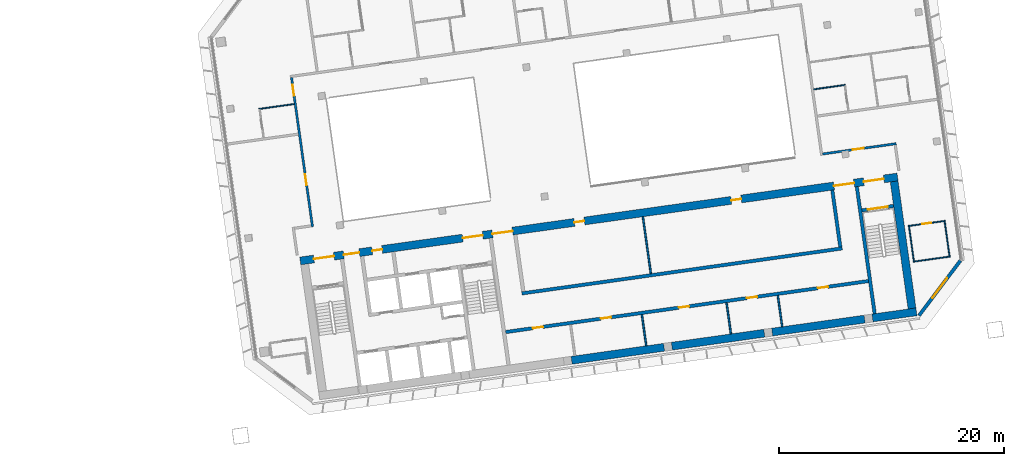
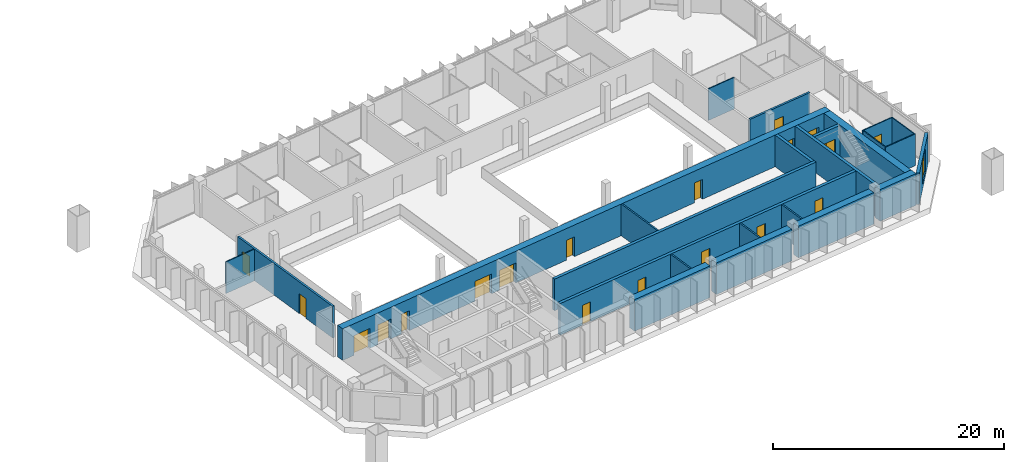
# One storey, part 20 of 25: 24 walls, 19 doors, 1 window, 20 openings.
"""IFC4 building model written with IfcOpenShell, lengths in metres."""

from ifc_helpers import new_model, si_unit, direction, frame, frame_2d, origin, place, context, subcontext, project, spatial, rectangle, extrude, material, layer, layer_set, type_object, element, fill, save


model = new_model("IFC4")

# Units and contexts
model_context = context("Model", 3, precision=1e-05, world=origin(), true_north=direction((0.0, 1.0)))
body_context = subcontext(model_context, "Body", "Model", "MODEL_VIEW")
ifc_project = project(units=[si_unit("LENGTHUNIT", "METRE"), si_unit("AREAUNIT", "SQUARE_METRE"), si_unit("VOLUMEUNIT", "CUBIC_METRE"), si_unit("PLANEANGLEUNIT", "RADIAN"), si_unit("MASSUNIT", "GRAM", prefix="KILO")], contexts=[model_context])

# Site, building, storey
site_placement = place(None, origin())
site = spatial("IfcSite", under=ifc_project, at=site_placement, CompositionType="ELEMENT")
building_placement = place(site_placement, origin())
building = spatial("IfcBuilding", under=site, at=building_placement, Name="Mirante Cascada Hotel Towers", CompositionType="ELEMENT")
storey_placement = place(building_placement, frame((0.0, 0.0, 172.6)))
storey = spatial("IfcBuildingStorey", under=building, at=storey_placement, Name="L40", CompositionType="ELEMENT", Elevation=172.6)

# Wall, opening, door
ifc_material_1 = material(Name="Fire-rated plasterboard on metal studs")
ifc_layer_1 = layer(ifc_material_1, 0.2)
ifc_layer_set_1 = layer_set([ifc_layer_1], Name="Compartment wall 200 EI 120")
wall_type_1 = type_object("IfcWallType", Name="Compartment wall 200 EI 120", PredefinedType="PARTITIONING", material=ifc_layer_set_1)
wall_1_placement = place(storey_placement, frame((88.5029, 2.7886, 0.0), z_axis=(0.0, 0.0, 1.0), x_axis=(-0.990269, -0.1391661, 0.0)))
wall_1 = element("IfcWall", 1, at=wall_1_placement, inside=storey, type_object=wall_type_1, Name="Wall 2-L40-06", PredefinedType="PARTITIONING", context=body_context, shape_type="SweptSolid", body=[
    extrude(rectangle(XDim=6.6, YDim=0.2, at=frame_2d((3.3, 0.0))), origin(), (0.0, 0.0, 1.0), 3.35),
])
opening_1_placement = place(wall_1_placement, frame((2.9, 0.0, 0.0)))
opening_1 = element("IfcOpeningElement", 2, at=opening_1_placement, cuts=wall_1, Name="Opening D2-L40-03", PredefinedType="OPENING", context=body_context, shape_type="SweptSolid", body=[
    extrude(rectangle(XDim=1.0, YDim=2.1, at=frame_2d((0.5, 1.05))), frame((0.0, 0.1, 0.0), z_axis=(0.0, -1.0, 0.0), x_axis=(1.0, 0.0, 0.0)), (0.0, 0.0, 1.0), 0.2),
])
ifc_material_2 = material(Name="Fire-rated timber door leaf", Category="wood")
door_type_1 = type_object("IfcDoorType", Name="Entrance door DG1 1000x2100 EI 60", OperationType="SINGLE_SWING_LEFT", PredefinedType="DOOR", material=ifc_material_2)
door_1_placement = place(opening_1_placement, origin())
door_1 = element("IfcDoor", 3, at=door_1_placement, inside=storey, type_object=door_type_1, Name="Door D2-L40-03", OperationType="SINGLE_SWING_LEFT", OverallHeight=2.1, OverallWidth=1.0, PredefinedType="DOOR", context=body_context, shape_type="SweptSolid", body=[
    extrude(rectangle(XDim=1.0, YDim=2.1, at=frame_2d((0.5, 1.05))), frame((0.0, 0.025, 0.0), z_axis=(0.0, -1.0, 0.0), x_axis=(1.0, 0.0, 0.0)), (0.0, 0.0, 1.0), 0.05),
])
fill(opening_1, door_1)

# Wall, openings, doors
wall_2_placement = place(storey_placement, frame((34.7618, 8.6665, 0.0), z_axis=(0.0, 0.0, 1.0), x_axis=(0.1391789, -0.9902673, 0.0)))
wall_2 = element("IfcWall", 4, at=wall_2_placement, inside=storey, type_object=wall_type_1, Name="Wall 2-L40-26", PredefinedType="PARTITIONING", context=body_context, shape_type="SweptSolid", body=[
    extrude(rectangle(XDim=13.4, YDim=0.2, at=frame_2d((6.7, 0.0))), origin(), (0.0, 0.0, 1.0), 3.35),
])
opening_2_placement = place(wall_2_placement, frame((8.6834, 0.0, 0.0)))
opening_2 = element("IfcOpeningElement", 5, at=opening_2_placement, cuts=wall_2, Name="Opening D2-L40-17", PredefinedType="OPENING", context=body_context, shape_type="SweptSolid", body=[
    extrude(rectangle(XDim=1.0, YDim=2.1, at=frame_2d((0.5, 1.05))), frame((0.0, 0.1, 0.0), z_axis=(0.0, -1.0, 0.0), x_axis=(1.0, 0.0, 0.0)), (0.0, 0.0, 1.0), 0.2),
])
opening_3_placement = place(wall_2_placement, frame((0.6334, 0.0, 0.0)))
opening_3 = element("IfcOpeningElement", 6, at=opening_3_placement, cuts=wall_2, Name="Opening D2-L40-18", PredefinedType="OPENING", context=body_context, shape_type="SweptSolid", body=[
    extrude(rectangle(XDim=1.0, YDim=2.1, at=frame_2d((0.5, 1.05))), frame((0.0, 0.1, 0.0), z_axis=(0.0, -1.0, 0.0), x_axis=(1.0, 0.0, 0.0)), (0.0, 0.0, 1.0), 0.2),
])
door_2_placement = place(opening_2_placement, frame((1.0, 0.0, 0.0), z_axis=(0.0, 0.0, 1.0), x_axis=(-1.0, 0.0, 0.0)))
door_2 = element("IfcDoor", 7, at=door_2_placement, inside=storey, type_object=door_type_1, Name="Door D2-L40-17", OperationType="SINGLE_SWING_RIGHT", OverallHeight=2.1, OverallWidth=1.0, PredefinedType="DOOR", context=body_context, shape_type="SweptSolid", body=[
    extrude(rectangle(XDim=1.0, YDim=2.1, at=frame_2d((0.5, 1.05))), frame((0.0, 0.025, 0.0), z_axis=(0.0, -1.0, 0.0), x_axis=(1.0, 0.0, 0.0)), (0.0, 0.0, 1.0), 0.05),
])
fill(opening_2, door_2)
door_3_placement = place(opening_3_placement, frame((1.0, 0.0, 0.0), z_axis=(0.0, 0.0, 1.0), x_axis=(-1.0, 0.0, 0.0)))
door_3 = element("IfcDoor", 8, at=door_3_placement, inside=storey, type_object=door_type_1, Name="Door D2-L40-18", OperationType="SINGLE_SWING_RIGHT", OverallHeight=2.1, OverallWidth=1.0, PredefinedType="DOOR", context=body_context, shape_type="SweptSolid", body=[
    extrude(rectangle(XDim=1.0, YDim=2.1, at=frame_2d((0.5, 1.05))), frame((0.0, 0.025, 0.0), z_axis=(0.0, -1.0, 0.0), x_axis=(1.0, 0.0, 0.0)), (0.0, 0.0, 1.0), 0.05),
])
fill(opening_3, door_3)

# Walls
ifc_material_3 = material(Name="Masonry block", Category="masonry")
ifc_layer_2 = layer(ifc_material_3, 0.15)
ifc_layer_set_2 = layer_set([ifc_layer_2], Name="Core room partition 150 block EI 30")
wall_type_2 = type_object("IfcWallType", Name="Core room partition 150 block EI 30", PredefinedType="PARTITIONING", material=ifc_layer_set_2)
for number, where, z_axis, x_axis, name in (
    (9, (66.2872, -15.178, 0.0), (0.0, 0.0, 1.0), (-0.139181, 0.990267, 0.0), "Core wall partition T2 L40 6"),
    (10, (73.8132, -14.1203, 0.0), (0.0, 0.0, 1.0), (-0.139181, 0.990267, 0.0), "Core wall partition T2 L40 7"),
):
    element("IfcWall", number, at=place(storey_placement, frame(where, z_axis=z_axis, x_axis=x_axis)), inside=storey, type_object=wall_type_2, Name=name, PredefinedType="PARTITIONING", context=body_context, shape_type="SweptSolid", body=[
        extrude(rectangle(XDim=2.8, YDim=0.15, at=frame_2d((1.4, 0.0))), origin(), (0.0, 0.0, 1.0), 3.35),
    ])
wall_3_placement = place(storey_placement, frame((78.3684, -13.4801, 0.0), z_axis=(0.0, 0.0, 1.0), x_axis=(-0.1391459, 0.9902719, 0.0)))
element("IfcWall", 11, at=wall_3_placement, inside=storey, type_object=wall_type_2, Name="Core wall partition T2 L40 8", PredefinedType="PARTITIONING", context=body_context, shape_type="SweptSolid", body=[
    extrude(rectangle(XDim=2.7999, YDim=0.15, at=frame_2d((1.4, 0.0))), origin(), (0.0, 0.0, 1.0), 3.35),
])
wall_4_placement = place(storey_placement, frame((66.6977, -8.7584, 0.0), z_axis=(0.0, 0.0, 1.0), x_axis=(-0.1391782, 0.9902673, 0.0)))
element("IfcWall", 12, at=wall_4_placement, inside=storey, type_object=wall_type_2, Name="Core wall partition T2 L40 9", PredefinedType="PARTITIONING", context=body_context, shape_type="SweptSolid", body=[
    extrude(rectangle(XDim=5.0999, YDim=0.15, at=frame_2d((2.55, 0.0))), origin(), (0.0, 0.0, 1.0), 3.35),
])

# Wall, openings, doors
ifc_material_4 = material(Name="Masonry block", Category="masonry")
ifc_layer_3 = layer(ifc_material_4, 0.3)
ifc_layer_set_3 = layer_set([ifc_layer_3], Name="Core wall 300 block EI 120")
wall_type_3 = type_object("IfcWallType", Name="Core wall 300 block EI 120", PredefinedType="PARTITIONING", material=ifc_layer_set_3)
wall_5_placement = place(storey_placement, frame((53.7953, -13.9547, 0.0), z_axis=(0.0, 0.0, 1.0), x_axis=(0.990268, 0.1391733, 0.0)))
wall_5 = element("IfcWall", 13, at=wall_5_placement, inside=storey, type_object=wall_type_3, Name="Core wall partition T2 L40 4", PredefinedType="PARTITIONING", context=body_context, shape_type="SweptSolid", body=[
    extrude(rectangle(XDim=32.5501, YDim=0.3, at=frame_2d((16.275, 0.0))), origin(), (0.0, 0.0, 1.0), 3.35),
])
opening_4_placement = place(wall_5_placement, frame((2.45, 0.0, 0.0)))
opening_4 = element("IfcOpeningElement", 14, at=opening_4_placement, cuts=wall_5, Name="Opening D2-40-C19", PredefinedType="OPENING", context=body_context, shape_type="SweptSolid", body=[
    extrude(rectangle(XDim=0.9, YDim=2.1, at=frame_2d((0.45, 1.05))), frame((0.0, 0.15, 0.0), z_axis=(0.0, -1.0, 0.0), x_axis=(1.0, 0.0, 0.0)), (0.0, 0.0, 1.0), 0.3),
])
opening_5_placement = place(wall_5_placement, frame((8.55, 0.0, 0.0)))
opening_5 = element("IfcOpeningElement", 15, at=opening_5_placement, cuts=wall_5, Name="Opening D2-40-C20", PredefinedType="OPENING", context=body_context, shape_type="SweptSolid", body=[
    extrude(rectangle(XDim=0.9, YDim=2.1, at=frame_2d((0.45, 1.05))), frame((0.0, 0.15, 0.0), z_axis=(0.0, -1.0, 0.0), x_axis=(1.0, 0.0, 0.0)), (0.0, 0.0, 1.0), 0.3),
])
opening_6_placement = place(wall_5_placement, frame((15.55, 0.0, 0.0)))
opening_6 = element("IfcOpeningElement", 16, at=opening_6_placement, cuts=wall_5, Name="Opening D2-40-C21", PredefinedType="OPENING", context=body_context, shape_type="SweptSolid", body=[
    extrude(rectangle(XDim=0.9, YDim=2.1, at=frame_2d((0.45, 1.05))), frame((0.0, 0.15, 0.0), z_axis=(0.0, -1.0, 0.0), x_axis=(1.0, 0.0, 0.0)), (0.0, 0.0, 1.0), 0.3),
])
opening_7_placement = place(wall_5_placement, frame((21.65, 0.0, 0.0)))
opening_7 = element("IfcOpeningElement", 17, at=opening_7_placement, cuts=wall_5, Name="Opening D2-40-C22", PredefinedType="OPENING", context=body_context, shape_type="SweptSolid", body=[
    extrude(rectangle(XDim=0.9, YDim=2.1, at=frame_2d((0.45, 1.05))), frame((0.0, 0.15, 0.0), z_axis=(0.0, -1.0, 0.0), x_axis=(1.0, 0.0, 0.0)), (0.0, 0.0, 1.0), 0.3),
])
opening_8_placement = place(wall_5_placement, frame((28.025, 0.0, 0.0)))
opening_8 = element("IfcOpeningElement", 18, at=opening_8_placement, cuts=wall_5, Name="Opening D2-40-C23", PredefinedType="OPENING", context=body_context, shape_type="SweptSolid", body=[
    extrude(rectangle(XDim=0.9, YDim=2.1, at=frame_2d((0.45, 1.05))), frame((0.0, 0.15, 0.0), z_axis=(0.0, -1.0, 0.0), x_axis=(1.0, 0.0, 0.0)), (0.0, 0.0, 1.0), 0.3),
])
ifc_material_5 = material(Name="Hollow metal fire door leaf")
door_type_2 = type_object("IfcDoorType", Name="Fire door 900x2100 FD60", OperationType="NOTDEFINED", PredefinedType="DOOR", material=ifc_material_5)
door_4_placement = place(opening_4_placement, frame((0.9, 0.0, 0.0), z_axis=(0.0, 0.0, 1.0), x_axis=(-1.0, 0.0, 0.0)))
door_4 = element("IfcDoor", 19, at=door_4_placement, inside=storey, type_object=door_type_2, Name="Room door T2 L40 19", OperationType="SINGLE_SWING_LEFT", OverallHeight=2.1, OverallWidth=0.9, PredefinedType="DOOR", context=body_context, shape_type="SweptSolid", body=[
    extrude(rectangle(XDim=0.9, YDim=2.1, at=frame_2d((0.45, 1.05))), frame((0.0, 0.025, 0.0), z_axis=(0.0, -1.0, 0.0), x_axis=(1.0, 0.0, 0.0)), (0.0, 0.0, 1.0), 0.05),
])
fill(opening_4, door_4)
door_5_placement = place(opening_5_placement, frame((0.9, 0.0, 0.0), z_axis=(0.0, 0.0, 1.0), x_axis=(-1.0, 0.0, 0.0)))
door_5 = element("IfcDoor", 20, at=door_5_placement, inside=storey, type_object=door_type_2, Name="Room door T2 L40 20", OperationType="SINGLE_SWING_LEFT", OverallHeight=2.1, OverallWidth=0.9, PredefinedType="DOOR", context=body_context, shape_type="SweptSolid", body=[
    extrude(rectangle(XDim=0.9, YDim=2.1, at=frame_2d((0.45, 1.05))), frame((0.0, 0.025, 0.0), z_axis=(0.0, -1.0, 0.0), x_axis=(1.0, 0.0, 0.0)), (0.0, 0.0, 1.0), 0.05),
])
fill(opening_5, door_5)
door_6_placement = place(opening_6_placement, frame((0.9, 0.0, 0.0), z_axis=(0.0, 0.0, 1.0), x_axis=(-1.0, 0.0, 0.0)))
door_6 = element("IfcDoor", 21, at=door_6_placement, inside=storey, type_object=door_type_2, Name="Room door T2 L40 21", OperationType="SINGLE_SWING_RIGHT", OverallHeight=2.1, OverallWidth=0.9, PredefinedType="DOOR", context=body_context, shape_type="SweptSolid", body=[
    extrude(rectangle(XDim=0.9, YDim=2.1, at=frame_2d((0.45, 1.05))), frame((0.0, 0.025, 0.0), z_axis=(0.0, -1.0, 0.0), x_axis=(1.0, 0.0, 0.0)), (0.0, 0.0, 1.0), 0.05),
])
fill(opening_6, door_6)
door_7_placement = place(opening_7_placement, frame((0.9, 0.0, 0.0), z_axis=(0.0, 0.0, 1.0), x_axis=(-1.0, 0.0, 0.0)))
door_7 = element("IfcDoor", 22, at=door_7_placement, inside=storey, type_object=door_type_2, Name="Room door T2 L40 22", OperationType="SINGLE_SWING_RIGHT", OverallHeight=2.1, OverallWidth=0.9, PredefinedType="DOOR", context=body_context, shape_type="SweptSolid", body=[
    extrude(rectangle(XDim=0.9, YDim=2.1, at=frame_2d((0.45, 1.05))), frame((0.0, 0.025, 0.0), z_axis=(0.0, -1.0, 0.0), x_axis=(1.0, 0.0, 0.0)), (0.0, 0.0, 1.0), 0.05),
])
fill(opening_7, door_7)
door_8_placement = place(opening_8_placement, frame((0.9, 0.0, 0.0), z_axis=(0.0, 0.0, 1.0), x_axis=(-1.0, 0.0, 0.0)))
door_8 = element("IfcDoor", 23, at=door_8_placement, inside=storey, type_object=door_type_2, Name="Room door T2 L40 23", OperationType="SINGLE_SWING_RIGHT", OverallHeight=2.1, OverallWidth=0.9, PredefinedType="DOOR", context=body_context, shape_type="SweptSolid", body=[
    extrude(rectangle(XDim=0.9, YDim=2.1, at=frame_2d((0.45, 1.05))), frame((0.0, 0.025, 0.0), z_axis=(0.0, -1.0, 0.0), x_axis=(1.0, 0.0, 0.0)), (0.0, 0.0, 1.0), 0.05),
])
fill(opening_8, door_8)

# Wall
ifc_material_6 = material(Name="Plasterboard on metal studs")
ifc_layer_4 = layer(ifc_material_6, 0.1)
ifc_layer_set_4 = layer_set([ifc_layer_4], Name="Partition 100")
wall_type_4 = type_object("IfcWallType", Name="Partition 100", PredefinedType="PARTITIONING", material=ifc_layer_set_4)
wall_6_placement = place(storey_placement, frame((93.2955, -7.242, 0.0), z_axis=(0.0, 0.0, 1.0), x_axis=(-0.990267, -0.139181, 0.0)))
element("IfcWall", 24, at=wall_6_placement, inside=storey, type_object=wall_type_4, Name="Wall 2-L40-02", PredefinedType="PARTITIONING", context=body_context, shape_type="SweptSolid", body=[
    extrude(rectangle(XDim=3.3, YDim=0.1, at=frame_2d((1.65, 0.0))), origin(), (0.0, 0.0, 1.0), 3.35),
])

# Wall, opening, door
wall_7_placement = place(storey_placement, frame((92.8502, -4.0731, 0.0), z_axis=(0.0, 0.0, 1.0), x_axis=(-0.990267, -0.139181, 0.0)))
wall_7 = element("IfcWall", 25, at=wall_7_placement, inside=storey, type_object=wall_type_4, Name="Wall 2-L40-04", PredefinedType="PARTITIONING", context=body_context, shape_type="SweptSolid", body=[
    extrude(rectangle(XDim=3.3, YDim=0.1, at=frame_2d((1.65, 0.0))), origin(), (0.0, 0.0, 1.0), 3.35),
])
opening_9_placement = place(wall_7_placement, frame((1.25, 0.0, 0.0)))
opening_9 = element("IfcOpeningElement", 26, at=opening_9_placement, cuts=wall_7, Name="Opening D2-L40-02", PredefinedType="OPENING", context=body_context, shape_type="SweptSolid", body=[
    extrude(rectangle(XDim=0.8, YDim=2.1, at=frame_2d((0.4, 1.05))), frame((0.0, 0.05, 0.0), z_axis=(0.0, -1.0, 0.0), x_axis=(1.0, 0.0, 0.0)), (0.0, 0.0, 1.0), 0.1),
])
ifc_material_7 = material(Name="Timber door leaf", Category="wood")
door_type_3 = type_object("IfcDoorType", Name="Bathroom door DG4 800x2100", OperationType="SINGLE_SWING_LEFT", PredefinedType="DOOR", material=ifc_material_7)
door_9_placement = place(opening_9_placement, frame((0.8, 0.0, 0.0), z_axis=(0.0, 0.0, 1.0), x_axis=(-1.0, 0.0, 0.0)))
door_9 = element("IfcDoor", 27, at=door_9_placement, inside=storey, type_object=door_type_3, Name="Door D2-L40-02", OperationType="SINGLE_SWING_RIGHT", OverallHeight=2.1, OverallWidth=0.8, PredefinedType="DOOR", context=body_context, shape_type="SweptSolid", body=[
    extrude(rectangle(XDim=0.8, YDim=2.1, at=frame_2d((0.4, 1.05))), frame((0.0, 0.025, 0.0), z_axis=(0.0, -1.0, 0.0), x_axis=(1.0, 0.0, 0.0)), (0.0, 0.0, 1.0), 0.05),
])
fill(opening_9, door_9)

# Walls
wall_8_placement = place(storey_placement, frame((83.9822, 8.0103, 0.0), z_axis=(0.0, 0.0, 1.0), x_axis=(-0.9902656, -0.1391909, 0.0)))
element("IfcWall", 28, at=wall_8_placement, inside=storey, type_object=wall_type_4, Name="Wall 2-L40-08", PredefinedType="PARTITIONING", context=body_context, shape_type="SweptSolid", body=[
    extrude(rectangle(XDim=2.85, YDim=0.1, at=frame_2d((1.425, 0.0))), origin(), (0.0, 0.0, 1.0), 3.35),
])
wall_9_placement = place(storey_placement, frame((34.9922, 6.3089, 0.0), z_axis=(0.0, 0.0, 1.0), x_axis=(-0.9902676, -0.1391765, 0.0)))
element("IfcWall", 29, at=wall_9_placement, inside=storey, type_object=wall_type_4, Name="Wall 2-L40-12", PredefinedType="PARTITIONING", context=body_context, shape_type="SweptSolid", body=[
    extrude(rectangle(XDim=3.15, YDim=0.1, at=frame_2d((1.575, 0.0))), origin(), (0.0, 0.0, 1.0), 3.35),
])
wall_10_placement = place(storey_placement, frame((90.0702, -7.6448, 0.0), z_axis=(0.0, 0.0, 1.0), x_axis=(-0.1391585, 0.9902701, 0.0)))
element("IfcWall", 30, at=wall_10_placement, inside=storey, type_object=wall_type_4, Name="Wall 2-L40-47", PredefinedType="PARTITIONING", context=body_context, shape_type="SweptSolid", body=[
    extrude(rectangle(XDim=3.1001, YDim=0.1, at=frame_2d((1.55, 0.0))), origin(), (0.0, 0.0, 1.0), 3.35),
])
wall_11_placement = place(storey_placement, frame((93.2391, -7.1994, 0.0), z_axis=(0.0, 0.0, 1.0), x_axis=(-0.1391945, 0.9902651, 0.0)))
element("IfcWall", 31, at=wall_11_placement, inside=storey, type_object=wall_type_4, Name="Wall 2-L40-49", PredefinedType="PARTITIONING", context=body_context, shape_type="SweptSolid", body=[
    extrude(rectangle(XDim=3.1, YDim=0.1, at=frame_2d((1.55, 0.0))), origin(), (0.0, 0.0, 1.0), 3.35),
])

# Wall, opening, window
ifc_material_8 = material(Name="Precast concrete C40/50", Category="concrete")
ifc_layer_5 = layer(ifc_material_8, 0.3)
ifc_layer_set_5 = layer_set([ifc_layer_5], Name="Precast concrete C40/50 cladding wall 300")
wall_type_5 = type_object("IfcWallType", Name="Precast concrete C40/50 cladding wall 300", PredefinedType="STANDARD", material=ifc_layer_set_5)
wall_12_placement = place(storey_placement, frame((90.5299, -12.4841, 0.0), z_axis=(0.0, 0.0, 1.0), x_axis=(0.6018063, 0.7986421, 0.0)))
wall_12 = element("IfcWall", 32, at=wall_12_placement, inside=storey, type_object=wall_type_5, Name="Corner cladding wall T2 L40 rear outer", PredefinedType="STANDARD", context=body_context, shape_type="SweptSolid", body=[
    extrude(rectangle(XDim=6.1158, YDim=0.3, at=frame_2d((3.0579, 0.0))), origin(), (0.0, 0.0, 1.0), 3.35),
])
opening_10_placement = place(wall_12_placement, frame((1.9578, 0.0, 0.6)))
opening_10 = element("IfcOpeningElement", 33, at=opening_10_placement, cuts=wall_12, Name="Opening W2-40-01", PredefinedType="OPENING", context=body_context, shape_type="SweptSolid", body=[
    extrude(rectangle(XDim=2.2, YDim=2.4, at=frame_2d((1.1, 1.2))), frame((0.0, 0.15, 0.0), z_axis=(0.0, -1.0, 0.0), x_axis=(1.0, 0.0, 0.0)), (0.0, 0.0, 1.0), 0.3),
])
ifc_material_9 = material(Name="Aluminium frame with clear double glazing", Category="aluminium")
window_type = type_object("IfcWindowType", Name="Corner suite window 2200x2400", PartitioningType="DOUBLE_PANEL_VERTICAL", PredefinedType="WINDOW", material=ifc_material_9)
window_placement = place(opening_10_placement, origin())
window = element("IfcWindow", 34, at=window_placement, inside=storey, type_object=window_type, Name="Window W2-40-01", OverallHeight=2.4, OverallWidth=2.2, PartitioningType="SINGLE_PANEL", PredefinedType="WINDOW", context=body_context, shape_type="SweptSolid", body=[
    extrude(rectangle(XDim=2.2, YDim=2.4, at=frame_2d((1.1, 1.2))), frame((0.0, 0.03, 0.0), z_axis=(0.0, -1.0, 0.0), x_axis=(1.0, 0.0, 0.0)), (0.0, 0.0, 1.0), 0.06),
])
fill(opening_10, window)

# Wall
ifc_material_10 = material(Name="Concrete C50/60", Category="concrete")
ifc_layer_6 = layer(ifc_material_10, 0.3)
ifc_layer_set_6 = layer_set([ifc_layer_6], Name="RC core wall 300 C50/60")
wall_type_6 = type_object("IfcWallType", Name="RC core wall 300 C50/60", PredefinedType="SHEAR", material=ifc_layer_set_6)
wall_13_placement = place(storey_placement, frame((86.5877, -12.325, 0.0), z_axis=(0.0, 0.0, 1.0), x_axis=(-0.1391749, 0.9902678, 0.0)))
element("IfcWall", 35, at=wall_13_placement, inside=storey, type_object=wall_type_6, Name="Core wall T2:L40:8", PredefinedType="SHEAR", context=body_context, shape_type="SweptSolid", body=[
    extrude(rectangle(XDim=11.4, YDim=0.3, at=frame_2d((5.7, 0.0))), origin(), (0.0, 0.0, 1.0), 3.35),
])

# Wall, opening, door
wall_14_placement = place(storey_placement, frame((85.4489, -3.1441, 0.0), z_axis=(0.0, 0.0, 1.0), x_axis=(0.9902697, 0.1391613, 0.0)))
wall_14 = element("IfcWall", 36, at=wall_14_placement, inside=storey, type_object=wall_type_6, Name="Core wall T2:L40:11", PredefinedType="SHEAR", context=body_context, shape_type="SweptSolid", body=[
    extrude(rectangle(XDim=2.8499, YDim=0.3, at=frame_2d((1.425, 0.0))), origin(), (0.0, 0.0, 1.0), 3.35),
])
opening_11_placement = place(wall_14_placement, frame((0.525, 0.0, 0.0)))
opening_11 = element("IfcOpeningElement", 37, at=opening_11_placement, cuts=wall_14, Name="Opening D2-40-C11", PredefinedType="OPENING", context=body_context, shape_type="SweptSolid", body=[
    extrude(rectangle(XDim=1.8, YDim=2.1, at=frame_2d((0.9, 1.05))), frame((0.0, 0.15, 0.0), z_axis=(0.0, -1.0, 0.0), x_axis=(1.0, 0.0, 0.0)), (0.0, 0.0, 1.0), 0.3),
])
ifc_material_11 = material(Name="Hollow metal fire door leaf")
door_type_4 = type_object("IfcDoorType", Name="Double fire door 1800x2100 FD60", OperationType="DOUBLE_DOOR_SINGLE_SWING", PredefinedType="DOOR", material=ifc_material_11)
door_10_placement = place(opening_11_placement, frame((1.8, 0.0, 0.0), z_axis=(0.0, 0.0, 1.0), x_axis=(-1.0, 0.0, 0.0)))
door_10 = element("IfcDoor", 38, at=door_10_placement, inside=storey, type_object=door_type_4, Name="Stair door T2 L40 11", OperationType="DOUBLE_DOOR_SINGLE_SWING", OverallHeight=2.1, OverallWidth=1.8, PredefinedType="DOOR", context=body_context, shape_type="SweptSolid", body=[
    extrude(rectangle(XDim=0.895, YDim=2.1, at=frame_2d((0.4475, 1.05))), frame((0.0, 0.025, 0.0), z_axis=(0.0, -1.0, 0.0), x_axis=(1.0, 0.0, 0.0)), (0.0, 0.0, 1.0), 0.05),
    extrude(rectangle(XDim=0.895, YDim=2.1, at=frame_2d((1.3525, 1.05))), frame((0.0, 0.025, 0.0), z_axis=(0.0, -1.0, 0.0), x_axis=(1.0, 0.0, 0.0)), (0.0, 0.0, 1.0), 0.05),
])
fill(opening_11, door_10)

# Walls
wall_15_placement = place(storey_placement, frame((55.2315, -10.5214, 0.0), z_axis=(0.0, 0.0, 1.0), x_axis=(0.9902682, 0.1391722, 0.0)))
element("IfcWall", 39, at=wall_15_placement, inside=storey, type_object=wall_type_6, Name="Core wall T2:L40:29", PredefinedType="SHEAR", context=body_context, shape_type="SweptSolid", body=[
    extrude(rectangle(XDim=28.75, YDim=0.3, at=frame_2d((14.375, 0.0))), origin(), (0.0, 0.0, 1.0), 3.35),
])
wall_16_placement = place(storey_placement, frame((83.5323, -6.3925, 0.0), z_axis=(0.0, 0.0, 1.0), x_axis=(-0.1391755, 0.9902677, 0.0)))
element("IfcWall", 40, at=wall_16_placement, inside=storey, type_object=wall_type_6, Name="Core wall T2:L40:31", PredefinedType="SHEAR", context=body_context, shape_type="SweptSolid", body=[
    extrude(rectangle(XDim=5.1, YDim=0.3, at=frame_2d((2.55, 0.0))), origin(), (0.0, 0.0, 1.0), 3.35),
])
ifc_material_12 = material(Name="Concrete C50/60", Category="concrete")
ifc_layer_7 = layer(ifc_material_12, 0.7)
ifc_layer_set_7 = layer_set([ifc_layer_7], Name="RC core wall 700 C50/60")
wall_type_7 = type_object("IfcWallType", Name="RC core wall 700 C50/60", PredefinedType="SHEAR", material=ifc_layer_set_7)
for number, where, z_axis, x_axis, name in (
    (41, (59.6516, -16.4641, 0.0), (0.0, 0.0, 1.0), (0.990267, 0.139181, 0.0), "Core wall T2:L40:1.4"),
    (42, (68.564, -15.2115, 0.0), (0.0, 0.0, 1.0), (0.9902686, 0.1391692, 0.0), "Core wall T2:L40:1.5"),
    (43, (77.4764, -13.9589, 0.0), (0.0, 0.0, 1.0), (0.9902686, 0.1391692, 0.0), "Core wall T2:L40:1.6"),
):
    element("IfcWall", number, at=place(storey_placement, frame(where, z_axis=z_axis, x_axis=x_axis)), inside=storey, type_object=wall_type_7, Name=name, PredefinedType="SHEAR", context=body_context, shape_type="SweptSolid", body=[
        extrude(rectangle(XDim=8.3, YDim=0.7, at=frame_2d((4.15, 0.0))), origin(), (0.0, 0.0, 1.0), 3.35),
    ])
wall_17_placement = place(storey_placement, frame((86.3888, -12.7064, 0.0), z_axis=(0.0, 0.0, 1.0), x_axis=(0.9902694, 0.1391633, 0.0)))
element("IfcWall", 44, at=wall_17_placement, inside=storey, type_object=wall_type_7, Name="Core wall T2:L40:1.7", PredefinedType="SHEAR", context=body_context, shape_type="SweptSolid", body=[
    extrude(rectangle(XDim=3.95, YDim=0.7, at=frame_2d((1.975, 0.0))), origin(), (0.0, 0.0, 1.0), 3.35),
])

# Wall, openings, doors
wall_18_placement = place(storey_placement, frame((35.538, -7.6341, 0.0), z_axis=(0.0, 0.0, 1.0), x_axis=(0.990268, 0.1391734, 0.0)))
wall_18 = element("IfcWall", 45, at=wall_18_placement, inside=storey, type_object=wall_type_7, Name="Core wall T2:L40:2", PredefinedType="SHEAR", context=body_context, shape_type="SweptSolid", body=[
    extrude(rectangle(XDim=53.6, YDim=0.7, at=frame_2d((26.8, 0.0))), origin(), (0.0, 0.0, 1.0), 3.35),
])
opening_12_placement = place(wall_18_placement, frame((1.225, 0.0, 0.0)))
opening_12 = element("IfcOpeningElement", 46, at=opening_12_placement, cuts=wall_18, Name="Opening D2-40-C08", PredefinedType="OPENING", context=body_context, shape_type="SweptSolid", body=[
    extrude(rectangle(XDim=1.8, YDim=2.1, at=frame_2d((0.9, 1.05))), frame((0.0, 0.35, 0.0), z_axis=(0.0, -1.0, 0.0), x_axis=(1.0, 0.0, 0.0)), (0.0, 0.0, 1.0), 0.7),
])
opening_13_placement = place(wall_18_placement, frame((14.575, 0.0, 0.0)))
opening_13 = element("IfcOpeningElement", 47, at=opening_13_placement, cuts=wall_18, Name="Opening D2-40-C10", PredefinedType="OPENING", context=body_context, shape_type="SweptSolid", body=[
    extrude(rectangle(XDim=1.8, YDim=2.1, at=frame_2d((0.9, 1.05))), frame((0.0, 0.35, 0.0), z_axis=(0.0, -1.0, 0.0), x_axis=(1.0, 0.0, 0.0)), (0.0, 0.0, 1.0), 0.7),
])
opening_14_placement = place(wall_18_placement, frame((50.575, 0.0, 0.0)))
opening_14 = element("IfcOpeningElement", 48, at=opening_14_placement, cuts=wall_18, Name="Opening D2-40-C12", PredefinedType="OPENING", context=body_context, shape_type="SweptSolid", body=[
    extrude(rectangle(XDim=1.8, YDim=2.1, at=frame_2d((0.9, 1.05))), frame((0.0, 0.35, 0.0), z_axis=(0.0, -1.0, 0.0), x_axis=(1.0, 0.0, 0.0)), (0.0, 0.0, 1.0), 0.7),
])
opening_15_placement = place(wall_18_placement, frame((3.9, 0.0, 0.0)))
opening_15 = element("IfcOpeningElement", 49, at=opening_15_placement, cuts=wall_18, Name="Opening D2-40-C13", PredefinedType="OPENING", context=body_context, shape_type="SweptSolid", body=[
    extrude(rectangle(XDim=1.4, YDim=2.1, at=frame_2d((0.7, 1.05))), frame((0.0, 0.35, 0.0), z_axis=(0.0, -1.0, 0.0), x_axis=(1.0, 0.0, 0.0)), (0.0, 0.0, 1.0), 0.7),
])
opening_16_placement = place(wall_18_placement, frame((17.25, 0.0, 0.0)))
opening_16 = element("IfcOpeningElement", 50, at=opening_16_placement, cuts=wall_18, Name="Opening D2-40-C14", PredefinedType="OPENING", context=body_context, shape_type="SweptSolid", body=[
    extrude(rectangle(XDim=1.8, YDim=2.1, at=frame_2d((0.9, 1.05))), frame((0.0, 0.35, 0.0), z_axis=(0.0, -1.0, 0.0), x_axis=(1.0, 0.0, 0.0)), (0.0, 0.0, 1.0), 0.7),
])
opening_17_placement = place(wall_18_placement, frame((47.9, 0.0, 0.0)))
opening_17 = element("IfcOpeningElement", 51, at=opening_17_placement, cuts=wall_18, Name="Opening D2-40-C15", PredefinedType="OPENING", context=body_context, shape_type="SweptSolid", body=[
    extrude(rectangle(XDim=1.8, YDim=2.1, at=frame_2d((0.9, 1.05))), frame((0.0, 0.35, 0.0), z_axis=(0.0, -1.0, 0.0), x_axis=(1.0, 0.0, 0.0)), (0.0, 0.0, 1.0), 0.7),
])
opening_18_placement = place(wall_18_placement, frame((6.45, 0.0, 0.0)))
opening_18 = element("IfcOpeningElement", 52, at=opening_18_placement, cuts=wall_18, Name="Opening D2-40-C18", PredefinedType="OPENING", context=body_context, shape_type="SweptSolid", body=[
    extrude(rectangle(XDim=0.9, YDim=2.1, at=frame_2d((0.45, 1.05))), frame((0.0, 0.35, 0.0), z_axis=(0.0, -1.0, 0.0), x_axis=(1.0, 0.0, 0.0)), (0.0, 0.0, 1.0), 0.7),
])
opening_19_placement = place(wall_18_placement, frame((24.6, 0.0, 0.0)))
opening_19 = element("IfcOpeningElement", 53, at=opening_19_placement, cuts=wall_18, Name="Opening D2-40-C24", PredefinedType="OPENING", context=body_context, shape_type="SweptSolid", body=[
    extrude(rectangle(XDim=0.9, YDim=2.1, at=frame_2d((0.45, 1.05))), frame((0.0, 0.35, 0.0), z_axis=(0.0, -1.0, 0.0), x_axis=(1.0, 0.0, 0.0)), (0.0, 0.0, 1.0), 0.7),
])
opening_20_placement = place(wall_18_placement, frame((38.675, 0.0, 0.0)))
opening_20 = element("IfcOpeningElement", 54, at=opening_20_placement, cuts=wall_18, Name="Opening D2-40-C25", PredefinedType="OPENING", context=body_context, shape_type="SweptSolid", body=[
    extrude(rectangle(XDim=0.9, YDim=2.1, at=frame_2d((0.45, 1.05))), frame((0.0, 0.35, 0.0), z_axis=(0.0, -1.0, 0.0), x_axis=(1.0, 0.0, 0.0)), (0.0, 0.0, 1.0), 0.7),
])
ifc_material_13 = material(Name="Hollow metal fire door leaf")
door_type_5 = type_object("IfcDoorType", Name="Double fire door 1400x2100 FD60", OperationType="DOUBLE_DOOR_SINGLE_SWING", PredefinedType="DOOR", material=ifc_material_13)
door_11_placement = place(opening_15_placement, origin())
door_11 = element("IfcDoor", 55, at=door_11_placement, inside=storey, type_object=door_type_5, Name="Exit door to gallery T2 L40 13", OperationType="DOUBLE_DOOR_SINGLE_SWING", OverallHeight=2.1, OverallWidth=1.4, PredefinedType="DOOR", context=body_context, shape_type="SweptSolid", body=[
    extrude(rectangle(XDim=0.695, YDim=2.1, at=frame_2d((0.3475, 1.05))), frame((0.0, 0.025, 0.0), z_axis=(0.0, -1.0, 0.0), x_axis=(1.0, 0.0, 0.0)), (0.0, 0.0, 1.0), 0.05),
    extrude(rectangle(XDim=0.695, YDim=2.1, at=frame_2d((1.0525, 1.05))), frame((0.0, 0.025, 0.0), z_axis=(0.0, -1.0, 0.0), x_axis=(1.0, 0.0, 0.0)), (0.0, 0.0, 1.0), 0.05),
])
fill(opening_15, door_11)
door_12_placement = place(opening_12_placement, frame((1.8, 0.0, 0.0), z_axis=(0.0, 0.0, 1.0), x_axis=(-1.0, 0.0, 0.0)))
door_12 = element("IfcDoor", 56, at=door_12_placement, inside=storey, type_object=door_type_4, Name="Exit door to gallery T2 L40 8", OperationType="DOUBLE_DOOR_SINGLE_SWING", OverallHeight=2.1, OverallWidth=1.8, PredefinedType="DOOR", context=body_context, shape_type="SweptSolid", body=[
    extrude(rectangle(XDim=0.895, YDim=2.1, at=frame_2d((0.4475, 1.05))), frame((0.0, 0.025, 0.0), z_axis=(0.0, -1.0, 0.0), x_axis=(1.0, 0.0, 0.0)), (0.0, 0.0, 1.0), 0.05),
    extrude(rectangle(XDim=0.895, YDim=2.1, at=frame_2d((1.3525, 1.05))), frame((0.0, 0.025, 0.0), z_axis=(0.0, -1.0, 0.0), x_axis=(1.0, 0.0, 0.0)), (0.0, 0.0, 1.0), 0.05),
])
fill(opening_12, door_12)
door_13_placement = place(opening_13_placement, frame((1.8, 0.0, 0.0), z_axis=(0.0, 0.0, 1.0), x_axis=(-1.0, 0.0, 0.0)))
door_13 = element("IfcDoor", 57, at=door_13_placement, inside=storey, type_object=door_type_4, Name="Exit door to gallery T2 L40 10", OperationType="DOUBLE_DOOR_SINGLE_SWING", OverallHeight=2.1, OverallWidth=1.8, PredefinedType="DOOR", context=body_context, shape_type="SweptSolid", body=[
    extrude(rectangle(XDim=0.895, YDim=2.1, at=frame_2d((0.4475, 1.05))), frame((0.0, 0.025, 0.0), z_axis=(0.0, -1.0, 0.0), x_axis=(1.0, 0.0, 0.0)), (0.0, 0.0, 1.0), 0.05),
    extrude(rectangle(XDim=0.895, YDim=2.1, at=frame_2d((1.3525, 1.05))), frame((0.0, 0.025, 0.0), z_axis=(0.0, -1.0, 0.0), x_axis=(1.0, 0.0, 0.0)), (0.0, 0.0, 1.0), 0.05),
])
fill(opening_13, door_13)
door_14_placement = place(opening_14_placement, frame((1.8, 0.0, 0.0), z_axis=(0.0, 0.0, 1.0), x_axis=(-1.0, 0.0, 0.0)))
door_14 = element("IfcDoor", 58, at=door_14_placement, inside=storey, type_object=door_type_4, Name="Exit door to gallery T2 L40 12", OperationType="DOUBLE_DOOR_SINGLE_SWING", OverallHeight=2.1, OverallWidth=1.8, PredefinedType="DOOR", context=body_context, shape_type="SweptSolid", body=[
    extrude(rectangle(XDim=0.895, YDim=2.1, at=frame_2d((0.4475, 1.05))), frame((0.0, 0.025, 0.0), z_axis=(0.0, -1.0, 0.0), x_axis=(1.0, 0.0, 0.0)), (0.0, 0.0, 1.0), 0.05),
    extrude(rectangle(XDim=0.895, YDim=2.1, at=frame_2d((1.3525, 1.05))), frame((0.0, 0.025, 0.0), z_axis=(0.0, -1.0, 0.0), x_axis=(1.0, 0.0, 0.0)), (0.0, 0.0, 1.0), 0.05),
])
fill(opening_14, door_14)
door_15_placement = place(opening_16_placement, origin())
door_15 = element("IfcDoor", 59, at=door_15_placement, inside=storey, type_object=door_type_4, Name="Exit door to gallery T2 L40 14", OperationType="DOUBLE_DOOR_SINGLE_SWING", OverallHeight=2.1, OverallWidth=1.8, PredefinedType="DOOR", context=body_context, shape_type="SweptSolid", body=[
    extrude(rectangle(XDim=0.895, YDim=2.1, at=frame_2d((0.4475, 1.05))), frame((0.0, 0.025, 0.0), z_axis=(0.0, -1.0, 0.0), x_axis=(1.0, 0.0, 0.0)), (0.0, 0.0, 1.0), 0.05),
    extrude(rectangle(XDim=0.895, YDim=2.1, at=frame_2d((1.3525, 1.05))), frame((0.0, 0.025, 0.0), z_axis=(0.0, -1.0, 0.0), x_axis=(1.0, 0.0, 0.0)), (0.0, 0.0, 1.0), 0.05),
])
fill(opening_16, door_15)
door_16_placement = place(opening_17_placement, origin())
door_16 = element("IfcDoor", 60, at=door_16_placement, inside=storey, type_object=door_type_4, Name="Exit door to gallery T2 L40 15", OperationType="DOUBLE_DOOR_SINGLE_SWING", OverallHeight=2.1, OverallWidth=1.8, PredefinedType="DOOR", context=body_context, shape_type="SweptSolid", body=[
    extrude(rectangle(XDim=0.895, YDim=2.1, at=frame_2d((0.4475, 1.05))), frame((0.0, 0.025, 0.0), z_axis=(0.0, -1.0, 0.0), x_axis=(1.0, 0.0, 0.0)), (0.0, 0.0, 1.0), 0.05),
    extrude(rectangle(XDim=0.895, YDim=2.1, at=frame_2d((1.3525, 1.05))), frame((0.0, 0.025, 0.0), z_axis=(0.0, -1.0, 0.0), x_axis=(1.0, 0.0, 0.0)), (0.0, 0.0, 1.0), 0.05),
])
fill(opening_17, door_16)
door_17_placement = place(opening_18_placement, frame((0.9, 0.0, 0.0), z_axis=(0.0, 0.0, 1.0), x_axis=(-1.0, 0.0, 0.0)))
door_17 = element("IfcDoor", 61, at=door_17_placement, inside=storey, type_object=door_type_2, Name="Room door T2 L40 18", OperationType="SINGLE_SWING_LEFT", OverallHeight=2.1, OverallWidth=0.9, PredefinedType="DOOR", context=body_context, shape_type="SweptSolid", body=[
    extrude(rectangle(XDim=0.9, YDim=2.1, at=frame_2d((0.45, 1.05))), frame((0.0, 0.025, 0.0), z_axis=(0.0, -1.0, 0.0), x_axis=(1.0, 0.0, 0.0)), (0.0, 0.0, 1.0), 0.05),
])
fill(opening_18, door_17)
door_18_placement = place(opening_19_placement, frame((0.9, 0.0, 0.0), z_axis=(0.0, 0.0, 1.0), x_axis=(-1.0, 0.0, 0.0)))
door_18 = element("IfcDoor", 62, at=door_18_placement, inside=storey, type_object=door_type_2, Name="Room door T2 L40 24", OperationType="SINGLE_SWING_LEFT", OverallHeight=2.1, OverallWidth=0.9, PredefinedType="DOOR", context=body_context, shape_type="SweptSolid", body=[
    extrude(rectangle(XDim=0.9, YDim=2.1, at=frame_2d((0.45, 1.05))), frame((0.0, 0.025, 0.0), z_axis=(0.0, -1.0, 0.0), x_axis=(1.0, 0.0, 0.0)), (0.0, 0.0, 1.0), 0.05),
])
fill(opening_19, door_18)
door_19_placement = place(opening_20_placement, frame((0.9, 0.0, 0.0), z_axis=(0.0, 0.0, 1.0), x_axis=(-1.0, 0.0, 0.0)))
door_19 = element("IfcDoor", 63, at=door_19_placement, inside=storey, type_object=door_type_2, Name="Room door T2 L40 25", OperationType="SINGLE_SWING_RIGHT", OverallHeight=2.1, OverallWidth=0.9, PredefinedType="DOOR", context=body_context, shape_type="SweptSolid", body=[
    extrude(rectangle(XDim=0.9, YDim=2.1, at=frame_2d((0.45, 1.05))), frame((0.0, 0.025, 0.0), z_axis=(0.0, -1.0, 0.0), x_axis=(1.0, 0.0, 0.0)), (0.0, 0.0, 1.0), 0.05),
])
fill(opening_20, door_19)

# Wall
wall_19_placement = place(storey_placement, frame((89.9051, -11.8588, 0.0), z_axis=(0.0, 0.0, 1.0), x_axis=(-0.1391749, 0.9902678, 0.0)))
element("IfcWall", 64, at=wall_19_placement, inside=storey, type_object=wall_type_7, Name="Core wall T2:L40:4", PredefinedType="SHEAR", context=body_context, shape_type="SweptSolid", body=[
    extrude(rectangle(XDim=11.4, YDim=0.7, at=frame_2d((5.7, 0.0))), origin(), (0.0, 0.0, 1.0), 3.35),
])

save(model, "model.ifc")
